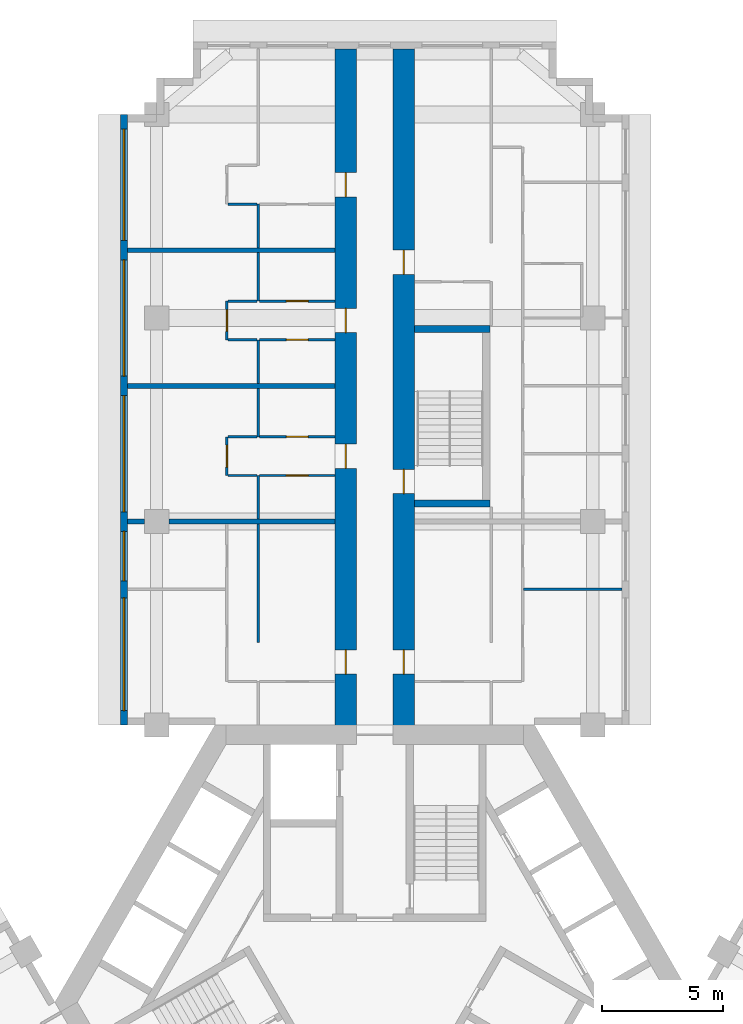
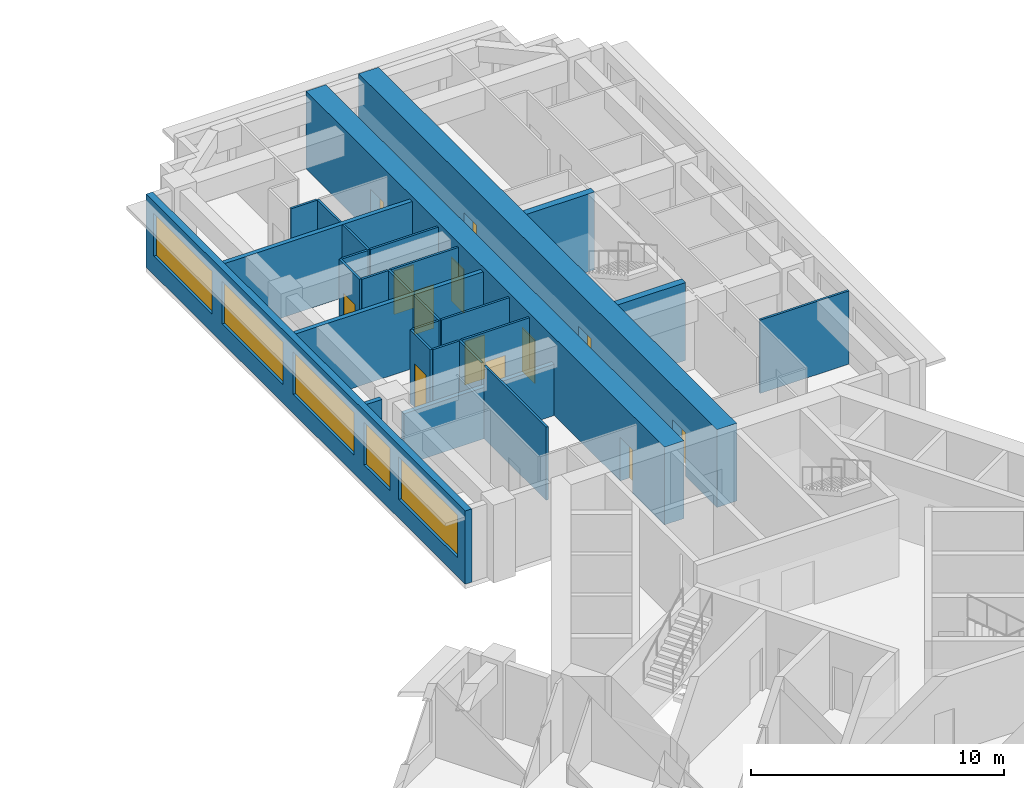
# One storey, part 9 of 15: 27 walls, 13 doors, 5 windows, 18 openings.
"""IFC4 building model written with IfcOpenShell, lengths in metres."""

from ifc_helpers import new_model, si_unit, direction, frame, frame_2d, origin, place, context, subcontext, project, spatial, rectangle, extrude, material, layer, layer_set, type_object, element, fill, save


model = new_model("IFC4")

# Units and contexts
model_context = context("Model", 3, precision=1e-05, world=origin(), true_north=direction((0.0, 1.0)))
body_context = subcontext(model_context, "Body", "Model", "MODEL_VIEW")
ifc_project = project(units=[si_unit("LENGTHUNIT", "METRE"), si_unit("AREAUNIT", "SQUARE_METRE"), si_unit("VOLUMEUNIT", "CUBIC_METRE"), si_unit("PLANEANGLEUNIT", "RADIAN"), si_unit("MASSUNIT", "GRAM", prefix="KILO")], contexts=[model_context])

# Site, building, storey
site_placement = place(None, origin())
site = spatial("IfcSite", under=ifc_project, at=site_placement, CompositionType="ELEMENT")
building_placement = place(site_placement, origin())
building = spatial("IfcBuilding", under=site, at=building_placement, Name="Impinga Residences", CompositionType="ELEMENT")
storey_placement = place(building_placement, frame((0.0, 0.0, 109.75)))
storey = spatial("IfcBuildingStorey", under=building, at=storey_placement, Name="L26", CompositionType="ELEMENT", Elevation=109.75)

# Wall, openings, doors
ifc_material_1 = material(Name="Concrete C60/75", Category="concrete")
ifc_layer_1 = layer(ifc_material_1, 0.89990234375)
ifc_layer_set_1 = layer_set([ifc_layer_1], Name="Concrete C60/75")
wall_type_1 = type_object("IfcWallType", Name="BW2 corridor buttress wall, L24 to L44 900", PredefinedType="SHEAR", material=ifc_layer_set_1)
wall_1_placement = place(storey_placement, frame((-1.199951171875, 11.031494140625, 0.0), z_axis=(0.0, 0.0, 1.0), x_axis=(0.0, 1.0, 0.0)))
wall_1 = element("IfcWall", 1, at=wall_1_placement, inside=storey, type_object=wall_type_1, Name="Corridor wall BW2 NC L26", PredefinedType="SHEAR", context=body_context, shape_type="SweptSolid", body=[
    extrude(rectangle(XDim=28.300048828125, YDim=0.89990234375, at=frame_2d((14.14990234375, 0.0))), origin(), (0.0, 0.0, 1.0), 3.75),
])
opening_1_placement = place(wall_1_placement, frame((2.5, 0.0, 0.0)))
opening_1 = element("IfcOpeningElement", 2, at=opening_1_placement, cuts=wall_1, Name="Opening D1", PredefinedType="OPENING", context=body_context, shape_type="SweptSolid", body=[
    extrude(rectangle(XDim=1.0, YDim=2.10009765625, at=frame_2d((0.5, 1.050048828125))), frame((0.0, 0.4599609375, 0.0), z_axis=(0.0, -1.0, 0.0), x_axis=(1.0, 0.0, 0.0)), (0.0, 0.0, 1.0), 0.919921875),
])
opening_2_placement = place(wall_1_placement, frame((11.0, 0.0, 0.0)))
opening_2 = element("IfcOpeningElement", 3, at=opening_2_placement, cuts=wall_1, Name="Opening D1", PredefinedType="OPENING", context=body_context, shape_type="SweptSolid", body=[
    extrude(rectangle(XDim=1.0, YDim=2.10009765625, at=frame_2d((0.5, 1.050048828125))), frame((0.0, 0.4599609375, 0.0), z_axis=(0.0, -1.0, 0.0), x_axis=(1.0, 0.0, 0.0)), (0.0, 0.0, 1.0), 0.919921875),
])
opening_3_placement = place(wall_1_placement, frame((16.60009765625, 0.0, 0.0)))
opening_3 = element("IfcOpeningElement", 4, at=opening_3_placement, cuts=wall_1, Name="Opening D1", PredefinedType="OPENING", context=body_context, shape_type="SweptSolid", body=[
    extrude(rectangle(XDim=1.0, YDim=2.10009765625, at=frame_2d((0.5, 1.050048828125))), frame((0.0, 0.4599609375, 0.0), z_axis=(0.0, -1.0, 0.0), x_axis=(1.0, 0.0, 0.0)), (0.0, 0.0, 1.0), 0.919921875),
])
opening_4_placement = place(wall_1_placement, frame((22.199951171875, 0.0, 0.0)))
opening_4 = element("IfcOpeningElement", 5, at=opening_4_placement, cuts=wall_1, Name="Opening D1", PredefinedType="OPENING", context=body_context, shape_type="SweptSolid", body=[
    extrude(rectangle(XDim=1.0, YDim=2.10009765625, at=frame_2d((0.5, 1.050048828125))), frame((0.0, 0.4599609375, 0.0), z_axis=(0.0, -1.0, 0.0), x_axis=(1.0, 0.0, 0.0)), (0.0, 0.0, 1.0), 0.919921875),
])
ifc_material_2 = material(Name="Timber door set", Category="wood")
door_type_1 = type_object("IfcDoorType", Name="D1 apartment entrance door 1000x2100", OperationType="SINGLE_SWING_LEFT", PredefinedType="DOOR", material=ifc_material_2)
door_1_placement = place(opening_1_placement, origin())
door_1 = element("IfcDoor", 6, at=door_1_placement, inside=storey, type_object=door_type_1, Name="Apartment L26-NA1 entrance", OperationType="SINGLE_SWING_LEFT", OverallHeight=2.10009765625, OverallWidth=1.0, PredefinedType="DOOR", context=body_context, shape_type="SweptSolid", body=[
    extrude(rectangle(XDim=1.0, YDim=2.10009765625, at=frame_2d((0.5, 1.050048828125))), frame((0.0, 0.02490234375, 0.0), z_axis=(0.0, -1.0, 0.0), x_axis=(1.0, 0.0, 0.0)), (0.0, 0.0, 1.0), 0.050048828125),
])
fill(opening_1, door_1)
door_2_placement = place(opening_2_placement, origin())
door_2 = element("IfcDoor", 7, at=door_2_placement, inside=storey, type_object=door_type_1, Name="Apartment L26-NA2 entrance", OperationType="SINGLE_SWING_LEFT", OverallHeight=2.10009765625, OverallWidth=1.0, PredefinedType="DOOR", context=body_context, shape_type="SweptSolid", body=[
    extrude(rectangle(XDim=1.0, YDim=2.10009765625, at=frame_2d((0.5, 1.050048828125))), frame((0.0, 0.02490234375, 0.0), z_axis=(0.0, -1.0, 0.0), x_axis=(1.0, 0.0, 0.0)), (0.0, 0.0, 1.0), 0.050048828125),
])
fill(opening_2, door_2)
door_3_placement = place(opening_3_placement, origin())
door_3 = element("IfcDoor", 8, at=door_3_placement, inside=storey, type_object=door_type_1, Name="Apartment L26-NA3 entrance", OperationType="SINGLE_SWING_RIGHT", OverallHeight=2.10009765625, OverallWidth=1.0, PredefinedType="DOOR", context=body_context, shape_type="SweptSolid", body=[
    extrude(rectangle(XDim=1.0, YDim=2.10009765625, at=frame_2d((0.5, 1.050048828125))), frame((0.0, 0.02490234375, 0.0), z_axis=(0.0, -1.0, 0.0), x_axis=(1.0, 0.0, 0.0)), (0.0, 0.0, 1.0), 0.050048828125),
])
fill(opening_3, door_3)
door_4_placement = place(opening_4_placement, origin())
door_4 = element("IfcDoor", 9, at=door_4_placement, inside=storey, type_object=door_type_1, Name="Apartment L26-NA4 entrance", OperationType="SINGLE_SWING_RIGHT", OverallHeight=2.10009765625, OverallWidth=1.0, PredefinedType="DOOR", context=body_context, shape_type="SweptSolid", body=[
    extrude(rectangle(XDim=1.0, YDim=2.10009765625, at=frame_2d((0.5, 1.050048828125))), frame((0.0, 0.02490234375, 0.0), z_axis=(0.0, -1.0, 0.0), x_axis=(1.0, 0.0, 0.0)), (0.0, 0.0, 1.0), 0.050048828125),
])
fill(opening_4, door_4)

wall_2_placement = place(storey_placement, frame((1.199951171875, 11.031494140625, 0.0), z_axis=(0.0, 0.0, 1.0), x_axis=(0.0, 1.0, 0.0)))
wall_2 = element("IfcWall", 10, at=wall_2_placement, inside=storey, type_object=wall_type_1, Name="Corridor wall BW2 ND L26", PredefinedType="SHEAR", context=body_context, shape_type="SweptSolid", body=[
    extrude(rectangle(XDim=28.300048828125, YDim=0.89990234375, at=frame_2d((14.14990234375, 0.0))), origin(), (0.0, 0.0, 1.0), 3.75),
])
opening_5_placement = place(wall_2_placement, frame((9.949951171875, 0.0, 0.0)))
opening_5 = element("IfcOpeningElement", 11, at=opening_5_placement, cuts=wall_2, Name="Opening D5", PredefinedType="OPENING", context=body_context, shape_type="SweptSolid", body=[
    extrude(rectangle(XDim=1.0, YDim=2.10009765625, at=frame_2d((0.5, 1.050048828125))), frame((0.0, 0.4599609375, 0.0), z_axis=(0.0, -1.0, 0.0), x_axis=(1.0, 0.0, 0.0)), (0.0, 0.0, 1.0), 0.919921875),
])
opening_6_placement = place(wall_2_placement, frame((2.5, 0.0, 0.0)))
opening_6 = element("IfcOpeningElement", 12, at=opening_6_placement, cuts=wall_2, Name="Opening D1", PredefinedType="OPENING", context=body_context, shape_type="SweptSolid", body=[
    extrude(rectangle(XDim=1.0, YDim=2.10009765625, at=frame_2d((0.5, 1.050048828125))), frame((0.0, 0.4599609375, 0.0), z_axis=(0.0, -1.0, 0.0), x_axis=(1.0, 0.0, 0.0)), (0.0, 0.0, 1.0), 0.919921875),
])
opening_7_placement = place(wall_2_placement, frame((19.0, 0.0, 0.0)))
opening_7 = element("IfcOpeningElement", 13, at=opening_7_placement, cuts=wall_2, Name="Opening D1", PredefinedType="OPENING", context=body_context, shape_type="SweptSolid", body=[
    extrude(rectangle(XDim=1.0, YDim=2.10009765625, at=frame_2d((0.5, 1.050048828125))), frame((0.0, 0.4599609375, 0.0), z_axis=(0.0, -1.0, 0.0), x_axis=(1.0, 0.0, 0.0)), (0.0, 0.0, 1.0), 0.919921875),
])
door_5_placement = place(opening_6_placement, origin())
door_5 = element("IfcDoor", 14, at=door_5_placement, inside=storey, type_object=door_type_1, Name="Apartment L26-NF1 entrance", OperationType="SINGLE_SWING_LEFT", OverallHeight=2.10009765625, OverallWidth=1.0, PredefinedType="DOOR", context=body_context, shape_type="SweptSolid", body=[
    extrude(rectangle(XDim=1.0, YDim=2.10009765625, at=frame_2d((0.5, 1.050048828125))), frame((0.0, 0.02490234375, 0.0), z_axis=(0.0, -1.0, 0.0), x_axis=(1.0, 0.0, 0.0)), (0.0, 0.0, 1.0), 0.050048828125),
])
fill(opening_6, door_5)
door_6_placement = place(opening_7_placement, origin())
door_6 = element("IfcDoor", 15, at=door_6_placement, inside=storey, type_object=door_type_1, Name="Apartment L26-NF2 entrance", OperationType="SINGLE_SWING_RIGHT", OverallHeight=2.10009765625, OverallWidth=1.0, PredefinedType="DOOR", context=body_context, shape_type="SweptSolid", body=[
    extrude(rectangle(XDim=1.0, YDim=2.10009765625, at=frame_2d((0.5, 1.050048828125))), frame((0.0, 0.02490234375, 0.0), z_axis=(0.0, -1.0, 0.0), x_axis=(1.0, 0.0, 0.0)), (0.0, 0.0, 1.0), 0.050048828125),
])
fill(opening_7, door_6)
door_type_2 = type_object("IfcDoorType", Name="D5 stair door 1000x2100", OperationType="SINGLE_SWING_LEFT", PredefinedType="DOOR", material=ifc_material_2)
door_7_placement = place(opening_5_placement, origin())
door_7 = element("IfcDoor", 16, at=door_7_placement, inside=storey, type_object=door_type_2, Name="Wing stair door N", OperationType="SINGLE_SWING_LEFT", OverallHeight=2.10009765625, OverallWidth=1.0, PredefinedType="DOOR", context=body_context, shape_type="SweptSolid", body=[
    extrude(rectangle(XDim=1.0, YDim=2.10009765625, at=frame_2d((0.5, 1.050048828125))), frame((0.0, 0.02490234375, 0.0), z_axis=(0.0, -1.0, 0.0), x_axis=(1.0, 0.0, 0.0)), (0.0, 0.0, 1.0), 0.050048828125),
])
fill(opening_5, door_7)

# Wall, openings, windows
ifc_material_3 = material(Name="Terracotta rainscreen on blockwork", Category="masonry")
ifc_layer_2 = layer(ifc_material_3, 0.300048828125)
ifc_layer_set_2 = layer_set([ifc_layer_2], Name="EW1 external wall, terracotta rainscreen on blockwork 300")
wall_type_2 = type_object("IfcWallType", Name="EW1 external wall, terracotta rainscreen on blockwork 300", PredefinedType="SOLIDWALL", material=ifc_layer_set_2)
wall_3_placement = place(storey_placement, frame((-10.35009765625, 11.431640625, 0.0), z_axis=(0.0, 0.0, 1.0), x_axis=(0.0, 1.0, 0.0)))
wall_3 = element("IfcWall", 17, at=wall_3_placement, inside=storey, type_object=wall_type_2, Name="External wall EW1 L26", PredefinedType="SOLIDWALL", context=body_context, shape_type="SweptSolid", body=[
    extrude(rectangle(XDim=25.199951171875, YDim=0.300048828125, at=frame_2d((12.60009765625, 0.0))), origin(), (0.0, 0.0, 1.0), 3.530029296875),
])
opening_8_placement = place(wall_3_placement, frame((0.60009765625, 0.0, 0.89990234375)))
opening_8 = element("IfcOpeningElement", 18, at=opening_8_placement, cuts=wall_3, Name="Opening W10", PredefinedType="OPENING", context=body_context, shape_type="SweptSolid", body=[
    extrude(rectangle(XDim=4.64990234375, YDim=2.050048828125, at=frame_2d((2.324951171875, 1.02490234375))), frame((0.0, 0.159912109375, 0.0), z_axis=(0.0, -1.0, 0.0), x_axis=(1.0, 0.0, 0.0)), (0.0, 0.0, 1.0), 0.320068359375),
])
opening_9_placement = place(wall_3_placement, frame((5.949951171875, 0.0, 0.89990234375)))
opening_9 = element("IfcOpeningElement", 19, at=opening_9_placement, cuts=wall_3, Name="Opening W14", PredefinedType="OPENING", context=body_context, shape_type="SweptSolid", body=[
    extrude(rectangle(XDim=2.050048828125, YDim=2.050048828125, at=frame_2d((1.02490234375, 1.02490234375))), frame((0.0, 0.159912109375, 0.0), z_axis=(0.0, -1.0, 0.0), x_axis=(1.0, 0.0, 0.0)), (0.0, 0.0, 1.0), 0.320068359375),
])
opening_10_placement = place(wall_3_placement, frame((8.800048828125, 0.0, 0.89990234375)))
opening_10 = element("IfcOpeningElement", 20, at=opening_10_placement, cuts=wall_3, Name="Opening W8", PredefinedType="OPENING", context=body_context, shape_type="SweptSolid", body=[
    extrude(rectangle(XDim=4.800048828125, YDim=2.050048828125, at=frame_2d((2.39990234375, 1.02490234375))), frame((0.0, 0.159912109375, 0.0), z_axis=(0.0, -1.0, 0.0), x_axis=(1.0, 0.0, 0.0)), (0.0, 0.0, 1.0), 0.320068359375),
])
opening_11_placement = place(wall_3_placement, frame((14.39990234375, 0.0, 0.89990234375)))
opening_11 = element("IfcOpeningElement", 21, at=opening_11_placement, cuts=wall_3, Name="Opening W8", PredefinedType="OPENING", context=body_context, shape_type="SweptSolid", body=[
    extrude(rectangle(XDim=4.800048828125, YDim=2.050048828125, at=frame_2d((2.39990234375, 1.02490234375))), frame((0.0, 0.159912109375, 0.0), z_axis=(0.0, -1.0, 0.0), x_axis=(1.0, 0.0, 0.0)), (0.0, 0.0, 1.0), 0.320068359375),
])
opening_12_placement = place(wall_3_placement, frame((20.0, 0.0, 0.89990234375)))
opening_12 = element("IfcOpeningElement", 22, at=opening_12_placement, cuts=wall_3, Name="Opening W3", PredefinedType="OPENING", context=body_context, shape_type="SweptSolid", body=[
    extrude(rectangle(XDim=4.60009765625, YDim=2.050048828125, at=frame_2d((2.300048828125, 1.02490234375))), frame((0.0, 0.159912109375, 0.0), z_axis=(0.0, -1.0, 0.0), x_axis=(1.0, 0.0, 0.0)), (0.0, 0.0, 1.0), 0.320068359375),
])
ifc_material_4 = material(Name="Aluminium window, clear double glazing", Category="aluminium")
window_type_1 = type_object("IfcWindowType", Name="W10 ribbon window 4650x2050", PartitioningType="SINGLE_PANEL", PredefinedType="WINDOW", material=ifc_material_4)
window_1_placement = place(opening_8_placement, origin())
window_1 = element("IfcWindow", 23, at=window_1_placement, inside=storey, type_object=window_type_1, Name="Window L26", OverallHeight=2.050048828125, OverallWidth=4.64990234375, PartitioningType="SINGLE_PANEL", PredefinedType="WINDOW", context=body_context, shape_type="SweptSolid", body=[
    extrude(rectangle(XDim=4.64990234375, YDim=2.050048828125, at=frame_2d((2.324951171875, 1.02490234375))), frame((0.0, 0.030029296875, 0.0), z_axis=(0.0, -1.0, 0.0), x_axis=(1.0, 0.0, 0.0)), (0.0, 0.0, 1.0), 0.06005859375),
])
fill(opening_8, window_1)
window_type_2 = type_object("IfcWindowType", Name="W14 ribbon window 2050x2050", PartitioningType="SINGLE_PANEL", PredefinedType="WINDOW", material=ifc_material_4)
window_2_placement = place(opening_9_placement, origin())
window_2 = element("IfcWindow", 24, at=window_2_placement, inside=storey, type_object=window_type_2, Name="Window L26", OverallHeight=2.050048828125, OverallWidth=2.050048828125, PartitioningType="SINGLE_PANEL", PredefinedType="WINDOW", context=body_context, shape_type="SweptSolid", body=[
    extrude(rectangle(XDim=2.050048828125, YDim=2.050048828125, at=frame_2d((1.02490234375, 1.02490234375))), frame((0.0, 0.030029296875, 0.0), z_axis=(0.0, -1.0, 0.0), x_axis=(1.0, 0.0, 0.0)), (0.0, 0.0, 1.0), 0.06005859375),
])
fill(opening_9, window_2)
window_type_3 = type_object("IfcWindowType", Name="W3 ribbon window 4600x2050", PartitioningType="SINGLE_PANEL", PredefinedType="WINDOW", material=ifc_material_4)
window_3_placement = place(opening_12_placement, origin())
window_3 = element("IfcWindow", 25, at=window_3_placement, inside=storey, type_object=window_type_3, Name="Window L26", OverallHeight=2.050048828125, OverallWidth=4.60009765625, PartitioningType="SINGLE_PANEL", PredefinedType="WINDOW", context=body_context, shape_type="SweptSolid", body=[
    extrude(rectangle(XDim=4.60009765625, YDim=2.050048828125, at=frame_2d((2.300048828125, 1.02490234375))), frame((0.0, 0.030029296875, 0.0), z_axis=(0.0, -1.0, 0.0), x_axis=(1.0, 0.0, 0.0)), (0.0, 0.0, 1.0), 0.06005859375),
])
fill(opening_12, window_3)
window_type_4 = type_object("IfcWindowType", Name="W8 ribbon window 4800x2050", PartitioningType="SINGLE_PANEL", PredefinedType="WINDOW", material=ifc_material_4)
window_4_placement = place(opening_10_placement, origin())
window_4 = element("IfcWindow", 26, at=window_4_placement, inside=storey, type_object=window_type_4, Name="Window L26", OverallHeight=2.050048828125, OverallWidth=4.800048828125, PartitioningType="SINGLE_PANEL", PredefinedType="WINDOW", context=body_context, shape_type="SweptSolid", body=[
    extrude(rectangle(XDim=4.800048828125, YDim=2.050048828125, at=frame_2d((2.39990234375, 1.02490234375))), frame((0.0, 0.030029296875, 0.0), z_axis=(0.0, -1.0, 0.0), x_axis=(1.0, 0.0, 0.0)), (0.0, 0.0, 1.0), 0.06005859375),
])
fill(opening_10, window_4)
window_5_placement = place(opening_11_placement, origin())
window_5 = element("IfcWindow", 27, at=window_5_placement, inside=storey, type_object=window_type_4, Name="Window L26", OverallHeight=2.050048828125, OverallWidth=4.800048828125, PartitioningType="SINGLE_PANEL", PredefinedType="WINDOW", context=body_context, shape_type="SweptSolid", body=[
    extrude(rectangle(XDim=4.800048828125, YDim=2.050048828125, at=frame_2d((2.39990234375, 1.02490234375))), frame((0.0, 0.030029296875, 0.0), z_axis=(0.0, -1.0, 0.0), x_axis=(1.0, 0.0, 0.0)), (0.0, 0.0, 1.0), 0.06005859375),
])
fill(opening_11, window_5)

# Walls
ifc_material_5 = material(Name="Gypsum board on steel studs", Category="steel")
ifc_layer_3 = layer(ifc_material_5, 0.10009765625)
ifc_layer_set_3 = layer_set([ifc_layer_3], Name="Gypsum board on steel studs")
wall_type_3 = type_object("IfcWallType", Name="IP1 partition 100", PredefinedType="PARTITIONING", material=ifc_layer_set_3)
wall_4_placement = place(storey_placement, frame((-4.800048828125, 14.83154296875, 0.0), z_axis=(0.0, 0.0, 1.0), x_axis=(0.0, 1.0, 0.0)))
element("IfcWall", 28, at=wall_4_placement, inside=storey, type_object=wall_type_3, Name="Partition L26-NA1:DIV1", PredefinedType="PARTITIONING", context=body_context, shape_type="SweptSolid", body=[
    extrude(rectangle(XDim=4.89990234375, YDim=0.10009765625, at=frame_2d((2.449951171875, 0.0))), origin(), (0.0, 0.0, 1.0), 3.530029296875),
])
wall_5_placement = place(storey_placement, frame((-4.800048828125, 19.931640625, 0.0), z_axis=(0.0, 0.0, 1.0), x_axis=(0.0, 1.0, 0.0)))
element("IfcWall", 29, at=wall_5_placement, inside=storey, type_object=wall_type_3, Name="Partition L26-NA2:DIV0", PredefinedType="PARTITIONING", context=body_context, shape_type="SweptSolid", body=[
    extrude(rectangle(XDim=1.7998046875, YDim=0.10009765625, at=frame_2d((0.89990234375, 0.0))), origin(), (0.0, 0.0, 1.0), 3.530029296875),
])
wall_6_placement = place(storey_placement, frame((-4.800048828125, 23.33154296875, 0.0), z_axis=(0.0, 0.0, 1.0), x_axis=(0.0, 1.0, 0.0)))
element("IfcWall", 30, at=wall_6_placement, inside=storey, type_object=wall_type_3, Name="Partition L26-NA2:DIV1", PredefinedType="PARTITIONING", context=body_context, shape_type="SweptSolid", body=[
    extrude(rectangle(XDim=2.0, YDim=0.10009765625, at=frame_2d((1.0, 0.0))), origin(), (0.0, 0.0, 1.0), 3.530029296875),
])

# Wall, opening, door
wall_7_placement = place(storey_placement, frame((-6.10009765625, 21.7314453125, 0.0), z_axis=(0.0, 0.0, 1.0), x_axis=(0.0, 1.0, 0.0)))
wall_7 = element("IfcWall", 31, at=wall_7_placement, inside=storey, type_object=wall_type_3, Name="Partition L26-NA2:STRIP", PredefinedType="PARTITIONING", context=body_context, shape_type="SweptSolid", body=[
    extrude(rectangle(XDim=1.60009765625, YDim=0.10009765625, at=frame_2d((0.800048828125, 0.0))), origin(), (0.0, 0.0, 1.0), 3.530029296875),
])
opening_13_placement = place(wall_7_placement, frame((0.35009765625, 0.0, 0.0)))
opening_13 = element("IfcOpeningElement", 32, at=opening_13_placement, cuts=wall_7, Name="Opening D2", PredefinedType="OPENING", context=body_context, shape_type="SweptSolid", body=[
    extrude(rectangle(XDim=0.89990234375, YDim=2.10009765625, at=frame_2d((0.449951171875, 1.050048828125))), frame((0.0, 0.06005859375, 0.0), z_axis=(0.0, -1.0, 0.0), x_axis=(1.0, 0.0, 0.0)), (0.0, 0.0, 1.0), 0.1201171875),
])
door_type_3 = type_object("IfcDoorType", Name="D2 internal door 900x2100", OperationType="SINGLE_SWING_LEFT", PredefinedType="DOOR", material=ifc_material_2)
door_8_placement = place(opening_13_placement, origin())
door_8 = element("IfcDoor", 33, at=door_8_placement, inside=storey, type_object=door_type_3, Name="Apartment L26-NA2 room door", OperationType="SINGLE_SWING_LEFT", OverallHeight=2.10009765625, OverallWidth=0.89990234375, PredefinedType="DOOR", context=body_context, shape_type="SweptSolid", body=[
    extrude(rectangle(XDim=0.89990234375, YDim=2.10009765625, at=frame_2d((0.449951171875, 1.050048828125))), frame((0.0, 0.02490234375, 0.0), z_axis=(0.0, -1.0, 0.0), x_axis=(1.0, 0.0, 0.0)), (0.0, 0.0, 1.0), 0.050048828125),
])
fill(opening_13, door_8)

# Walls
for number, where, z_axis, x_axis, name in (
    (34, (-4.85009765625, 21.7314453125, 0.0), (0.0, 0.0, 1.0), (-1.0, 0.0, 0.0), "Partition L26-NA2:SE0"),
    (35, (-4.85009765625, 23.33154296875, 0.0), (0.0, 0.0, 1.0), (-1.0, 0.0, 0.0), "Partition L26-NA2:SE1"),
):
    element("IfcWall", number, at=place(storey_placement, frame(where, z_axis=z_axis, x_axis=x_axis)), inside=storey, type_object=wall_type_3, Name=name, PredefinedType="PARTITIONING", context=body_context, shape_type="SweptSolid", body=[
        extrude(rectangle(XDim=1.199951171875, YDim=0.10009765625, at=frame_2d((0.60009765625, 0.0))), origin(), (0.0, 0.0, 1.0), 3.530029296875),
    ])

# Wall, opening, door
wall_8_placement = place(storey_placement, frame((-1.64990234375, 21.7314453125, 0.0), z_axis=(0.0, 0.0, 1.0), x_axis=(-1.0, 0.0, 0.0)))
wall_8 = element("IfcWall", 36, at=wall_8_placement, inside=storey, type_object=wall_type_3, Name="Partition L26-NA2:IB1", PredefinedType="PARTITIONING", context=body_context, shape_type="SweptSolid", body=[
    extrude(rectangle(XDim=3.10009765625, YDim=0.10009765625, at=frame_2d((1.550048828125, 0.0))), origin(), (0.0, 0.0, 1.0), 3.530029296875),
])
opening_14_placement = place(wall_8_placement, frame((1.10009765625, 0.0, 0.0)))
opening_14 = element("IfcOpeningElement", 37, at=opening_14_placement, cuts=wall_8, Name="Opening D2", PredefinedType="OPENING", context=body_context, shape_type="SweptSolid", body=[
    extrude(rectangle(XDim=0.89990234375, YDim=2.10009765625, at=frame_2d((0.449951171875, 1.050048828125))), frame((0.0, 0.06005859375, 0.0), z_axis=(0.0, -1.0, 0.0), x_axis=(1.0, 0.0, 0.0)), (0.0, 0.0, 1.0), 0.1201171875),
])
door_9_placement = place(opening_14_placement, origin())
door_9 = element("IfcDoor", 38, at=door_9_placement, inside=storey, type_object=door_type_3, Name="Apartment L26-NA2 bathroom door", OperationType="SINGLE_SWING_LEFT", OverallHeight=2.10009765625, OverallWidth=0.89990234375, PredefinedType="DOOR", context=body_context, shape_type="SweptSolid", body=[
    extrude(rectangle(XDim=0.89990234375, YDim=2.10009765625, at=frame_2d((0.449951171875, 1.050048828125))), frame((0.0, 0.02490234375, 0.0), z_axis=(0.0, -1.0, 0.0), x_axis=(1.0, 0.0, 0.0)), (0.0, 0.0, 1.0), 0.050048828125),
])
fill(opening_14, door_9)

wall_9_placement = place(storey_placement, frame((-1.64990234375, 23.33154296875, 0.0), z_axis=(0.0, 0.0, 1.0), x_axis=(-1.0, 0.0, 0.0)))
wall_9 = element("IfcWall", 39, at=wall_9_placement, inside=storey, type_object=wall_type_3, Name="Partition L26-NA2:IB2", PredefinedType="PARTITIONING", context=body_context, shape_type="SweptSolid", body=[
    extrude(rectangle(XDim=3.10009765625, YDim=0.10009765625, at=frame_2d((1.550048828125, 0.0))), origin(), (0.0, 0.0, 1.0), 3.530029296875),
])
opening_15_placement = place(wall_9_placement, frame((1.10009765625, 0.0, 0.0)))
opening_15 = element("IfcOpeningElement", 40, at=opening_15_placement, cuts=wall_9, Name="Opening D2", PredefinedType="OPENING", context=body_context, shape_type="SweptSolid", body=[
    extrude(rectangle(XDim=0.89990234375, YDim=2.10009765625, at=frame_2d((0.449951171875, 1.050048828125))), frame((0.0, 0.06005859375, 0.0), z_axis=(0.0, -1.0, 0.0), x_axis=(1.0, 0.0, 0.0)), (0.0, 0.0, 1.0), 0.1201171875),
])
door_10_placement = place(opening_15_placement, origin())
door_10 = element("IfcDoor", 41, at=door_10_placement, inside=storey, type_object=door_type_3, Name="Apartment L26-NA2 WC door", OperationType="SINGLE_SWING_LEFT", OverallHeight=2.10009765625, OverallWidth=0.89990234375, PredefinedType="DOOR", context=body_context, shape_type="SweptSolid", body=[
    extrude(rectangle(XDim=0.89990234375, YDim=2.10009765625, at=frame_2d((0.449951171875, 1.050048828125))), frame((0.0, 0.02490234375, 0.0), z_axis=(0.0, -1.0, 0.0), x_axis=(1.0, 0.0, 0.0)), (0.0, 0.0, 1.0), 0.050048828125),
])
fill(opening_15, door_10)

# Walls
wall_10_placement = place(storey_placement, frame((-4.800048828125, 25.531494140625, 0.0), z_axis=(0.0, 0.0, 1.0), x_axis=(0.0, 1.0, 0.0)))
element("IfcWall", 42, at=wall_10_placement, inside=storey, type_object=wall_type_3, Name="Partition L26-NA3:DIV0", PredefinedType="PARTITIONING", context=body_context, shape_type="SweptSolid", body=[
    extrude(rectangle(XDim=1.800048828125, YDim=0.10009765625, at=frame_2d((0.89990234375, 0.0))), origin(), (0.0, 0.0, 1.0), 3.530029296875),
])
wall_11_placement = place(storey_placement, frame((-4.800048828125, 28.931640625, 0.0), z_axis=(0.0, 0.0, 1.0), x_axis=(0.0, 1.0, 0.0)))
element("IfcWall", 43, at=wall_11_placement, inside=storey, type_object=wall_type_3, Name="Partition L26-NA3:DIV1", PredefinedType="PARTITIONING", context=body_context, shape_type="SweptSolid", body=[
    extrude(rectangle(XDim=2.0, YDim=0.10009765625, at=frame_2d((1.0, 0.0))), origin(), (0.0, 0.0, 1.0), 3.530029296875),
])

# Wall, opening, door
wall_12_placement = place(storey_placement, frame((-6.10009765625, 27.33154296875, 0.0), z_axis=(0.0, 0.0, 1.0), x_axis=(0.0, 1.0, 0.0)))
wall_12 = element("IfcWall", 44, at=wall_12_placement, inside=storey, type_object=wall_type_3, Name="Partition L26-NA3:STRIP", PredefinedType="PARTITIONING", context=body_context, shape_type="SweptSolid", body=[
    extrude(rectangle(XDim=1.60009765625, YDim=0.10009765625, at=frame_2d((0.800048828125, 0.0))), origin(), (0.0, 0.0, 1.0), 3.530029296875),
])
opening_16_placement = place(wall_12_placement, frame((0.35009765625, 0.0, 0.0)))
opening_16 = element("IfcOpeningElement", 45, at=opening_16_placement, cuts=wall_12, Name="Opening D2", PredefinedType="OPENING", context=body_context, shape_type="SweptSolid", body=[
    extrude(rectangle(XDim=0.89990234375, YDim=2.10009765625, at=frame_2d((0.449951171875, 1.050048828125))), frame((0.0, 0.06005859375, 0.0), z_axis=(0.0, -1.0, 0.0), x_axis=(1.0, 0.0, 0.0)), (0.0, 0.0, 1.0), 0.1201171875),
])
door_11_placement = place(opening_16_placement, origin())
door_11 = element("IfcDoor", 46, at=door_11_placement, inside=storey, type_object=door_type_3, Name="Apartment L26-NA3 room door", OperationType="SINGLE_SWING_LEFT", OverallHeight=2.10009765625, OverallWidth=0.89990234375, PredefinedType="DOOR", context=body_context, shape_type="SweptSolid", body=[
    extrude(rectangle(XDim=0.89990234375, YDim=2.10009765625, at=frame_2d((0.449951171875, 1.050048828125))), frame((0.0, 0.02490234375, 0.0), z_axis=(0.0, -1.0, 0.0), x_axis=(1.0, 0.0, 0.0)), (0.0, 0.0, 1.0), 0.050048828125),
])
fill(opening_16, door_11)

# Walls
for number, where, z_axis, x_axis, name in (
    (47, (-4.85009765625, 27.33154296875, 0.0), (0.0, 0.0, 1.0), (-1.0, 0.0, 0.0), "Partition L26-NA3:SE0"),
    (48, (-4.85009765625, 28.931640625, 0.0), (0.0, 0.0, 1.0), (-1.0, 0.0, 0.0), "Partition L26-NA3:SE1"),
):
    element("IfcWall", number, at=place(storey_placement, frame(where, z_axis=z_axis, x_axis=x_axis)), inside=storey, type_object=wall_type_3, Name=name, PredefinedType="PARTITIONING", context=body_context, shape_type="SweptSolid", body=[
        extrude(rectangle(XDim=1.199951171875, YDim=0.10009765625, at=frame_2d((0.60009765625, 0.0))), origin(), (0.0, 0.0, 1.0), 3.530029296875),
    ])

# Wall, opening, door
wall_13_placement = place(storey_placement, frame((-1.64990234375, 27.33154296875, 0.0), z_axis=(0.0, 0.0, 1.0), x_axis=(-1.0, 0.0, 0.0)))
wall_13 = element("IfcWall", 49, at=wall_13_placement, inside=storey, type_object=wall_type_3, Name="Partition L26-NA3:IB1", PredefinedType="PARTITIONING", context=body_context, shape_type="SweptSolid", body=[
    extrude(rectangle(XDim=3.10009765625, YDim=0.10009765625, at=frame_2d((1.550048828125, 0.0))), origin(), (0.0, 0.0, 1.0), 3.530029296875),
])
opening_17_placement = place(wall_13_placement, frame((1.10009765625, 0.0, 0.0)))
opening_17 = element("IfcOpeningElement", 50, at=opening_17_placement, cuts=wall_13, Name="Opening D2", PredefinedType="OPENING", context=body_context, shape_type="SweptSolid", body=[
    extrude(rectangle(XDim=0.89990234375, YDim=2.10009765625, at=frame_2d((0.449951171875, 1.050048828125))), frame((0.0, 0.06005859375, 0.0), z_axis=(0.0, -1.0, 0.0), x_axis=(1.0, 0.0, 0.0)), (0.0, 0.0, 1.0), 0.1201171875),
])
door_12_placement = place(opening_17_placement, origin())
door_12 = element("IfcDoor", 51, at=door_12_placement, inside=storey, type_object=door_type_3, Name="Apartment L26-NA3 bathroom door", OperationType="SINGLE_SWING_LEFT", OverallHeight=2.10009765625, OverallWidth=0.89990234375, PredefinedType="DOOR", context=body_context, shape_type="SweptSolid", body=[
    extrude(rectangle(XDim=0.89990234375, YDim=2.10009765625, at=frame_2d((0.449951171875, 1.050048828125))), frame((0.0, 0.02490234375, 0.0), z_axis=(0.0, -1.0, 0.0), x_axis=(1.0, 0.0, 0.0)), (0.0, 0.0, 1.0), 0.050048828125),
])
fill(opening_17, door_12)

wall_14_placement = place(storey_placement, frame((-1.64990234375, 28.931640625, 0.0), z_axis=(0.0, 0.0, 1.0), x_axis=(-1.0, 0.0, 0.0)))
wall_14 = element("IfcWall", 52, at=wall_14_placement, inside=storey, type_object=wall_type_3, Name="Partition L26-NA3:IB2", PredefinedType="PARTITIONING", context=body_context, shape_type="SweptSolid", body=[
    extrude(rectangle(XDim=3.10009765625, YDim=0.10009765625, at=frame_2d((1.550048828125, 0.0))), origin(), (0.0, 0.0, 1.0), 3.530029296875),
])
opening_18_placement = place(wall_14_placement, frame((1.10009765625, 0.0, 0.0)))
opening_18 = element("IfcOpeningElement", 53, at=opening_18_placement, cuts=wall_14, Name="Opening D2", PredefinedType="OPENING", context=body_context, shape_type="SweptSolid", body=[
    extrude(rectangle(XDim=0.89990234375, YDim=2.10009765625, at=frame_2d((0.449951171875, 1.050048828125))), frame((0.0, 0.06005859375, 0.0), z_axis=(0.0, -1.0, 0.0), x_axis=(1.0, 0.0, 0.0)), (0.0, 0.0, 1.0), 0.1201171875),
])
door_13_placement = place(opening_18_placement, origin())
door_13 = element("IfcDoor", 54, at=door_13_placement, inside=storey, type_object=door_type_3, Name="Apartment L26-NA3 WC door", OperationType="SINGLE_SWING_LEFT", OverallHeight=2.10009765625, OverallWidth=0.89990234375, PredefinedType="DOOR", context=body_context, shape_type="SweptSolid", body=[
    extrude(rectangle(XDim=0.89990234375, YDim=2.10009765625, at=frame_2d((0.449951171875, 1.050048828125))), frame((0.0, 0.02490234375, 0.0), z_axis=(0.0, -1.0, 0.0), x_axis=(1.0, 0.0, 0.0)), (0.0, 0.0, 1.0), 0.050048828125),
])
fill(opening_18, door_13)

# Walls
wall_15_placement = place(storey_placement, frame((-4.800048828125, 31.131591796875, 0.0), z_axis=(0.0, 0.0, 1.0), x_axis=(0.0, 1.0, 0.0)))
element("IfcWall", 55, at=wall_15_placement, inside=storey, type_object=wall_type_3, Name="Partition L26-NA4:DIV0", PredefinedType="PARTITIONING", context=body_context, shape_type="SweptSolid", body=[
    extrude(rectangle(XDim=1.800048828125, YDim=0.10009765625, at=frame_2d((0.89990234375, 0.0))), origin(), (0.0, 0.0, 1.0), 3.530029296875),
])
wall_16_placement = place(storey_placement, frame((-4.85009765625, 32.931640625, 0.0), z_axis=(0.0, 0.0, 1.0), x_axis=(-1.0, 0.0, 0.0)))
element("IfcWall", 56, at=wall_16_placement, inside=storey, type_object=wall_type_3, Name="Partition L26-NA4:SE0", PredefinedType="PARTITIONING", context=body_context, shape_type="SweptSolid", body=[
    extrude(rectangle(XDim=1.199951171875, YDim=0.10009765625, at=frame_2d((0.60009765625, 0.0))), origin(), (0.0, 0.0, 1.0), 3.530029296875),
])
wall_17_placement = place(storey_placement, frame((6.14990234375, 17.031494140625, 0.0), z_axis=(0.0, 0.0, 1.0), x_axis=(1.0, 0.0, 0.0)))
element("IfcWall", 57, at=wall_17_placement, inside=storey, type_object=wall_type_3, Name="Partition L26-NF1:OB1", PredefinedType="PARTITIONING", context=body_context, shape_type="SweptSolid", body=[
    extrude(rectangle(XDim=4.050048828125, YDim=0.10009765625, at=frame_2d((2.02490234375, 0.0))), origin(), (0.0, 0.0, 1.0), 3.530029296875),
])
ifc_material_6 = material(Name="Concrete blockwork", Category="masonry")
ifc_layer_4 = layer(ifc_material_6, 0.199951171875)
ifc_layer_set_4 = layer_set([ifc_layer_4], Name="PW1 party wall between apartments 200")
wall_type_4 = type_object("IfcWallType", Name="PW1 party wall between apartments 200", PredefinedType="SOLIDWALL", material=ifc_layer_set_4)
wall_18_placement = place(storey_placement, frame((-1.64990234375, 19.83154296875, 0.0), z_axis=(0.0, 0.0, 1.0), x_axis=(-1.0, 0.0, 0.0)))
element("IfcWall", 58, at=wall_18_placement, inside=storey, type_object=wall_type_4, Name="Party wall between apartments L26-NA1:PARTY", PredefinedType="SOLIDWALL", context=body_context, shape_type="SweptSolid", body=[
    extrude(rectangle(XDim=6.85009765625, YDim=0.199951171875, at=frame_2d((3.425048828125, 0.0))), origin(), (0.0, 0.0, 1.0), 2.47998046875),
])
wall_19_placement = place(storey_placement, frame((-9.5, 19.83154296875, 0.0), z_axis=(0.0, 0.0, 1.0), x_axis=(-1.0, 0.0, 0.0)))
element("IfcWall", 59, at=wall_19_placement, inside=storey, type_object=wall_type_4, Name="Party wall between apartments L26-NA1:PARTYb", PredefinedType="SOLIDWALL", context=body_context, shape_type="SweptSolid", body=[
    extrude(rectangle(XDim=0.699951171875, YDim=0.199951171875, at=frame_2d((0.35009765625, 0.0))), origin(), (0.0, 0.0, 1.0), 3.530029296875),
])
for number, where, z_axis, x_axis, name in (
    (60, (-1.64990234375, 25.431640625, 0.0), (0.0, 0.0, 1.0), (-1.0, 0.0, 0.0), "Party wall between apartments L26-NA2:PARTY"),
    (61, (-1.64990234375, 31.031494140625, 0.0), (0.0, 0.0, 1.0), (-1.0, 0.0, 0.0), "Party wall between apartments L26-NA3:PARTY"),
):
    element("IfcWall", number, at=place(storey_placement, frame(where, z_axis=z_axis, x_axis=x_axis)), inside=storey, type_object=wall_type_4, Name=name, PredefinedType="SOLIDWALL", context=body_context, shape_type="SweptSolid", body=[
        extrude(rectangle(XDim=8.550048828125, YDim=0.199951171875, at=frame_2d((4.27490234375, 0.0))), origin(), (0.0, 0.0, 1.0), 3.530029296875),
    ])
ifc_layer_5 = layer(ifc_material_1, 0.300048828125)
ifc_layer_set_5 = layer_set([ifc_layer_5], Name="Concrete C60/75")
wall_type_5 = type_object("IfcWallType", Name="SE1 wing stair enclosure wall 300", PredefinedType="SOLIDWALL", material=ifc_layer_set_5)
for number, where, z_axis, x_axis, name in (
    (62, (1.64990234375, 20.58154296875, 0.0), (0.0, 0.0, 1.0), (1.0, 0.0, 0.0), "Stair enclosure wall SE1 N END0 L26"),
    (63, (1.64990234375, 27.781494140625, 0.0), (0.0, 0.0, 1.0), (1.0, 0.0, 0.0), "Stair enclosure wall SE1 N END1 L26"),
):
    element("IfcWall", number, at=place(storey_placement, frame(where, z_axis=z_axis, x_axis=x_axis)), inside=storey, type_object=wall_type_5, Name=name, PredefinedType="SOLIDWALL", context=body_context, shape_type="SweptSolid", body=[
        extrude(rectangle(XDim=3.10009765625, YDim=0.300048828125, at=frame_2d((1.550048828125, 0.0))), origin(), (0.0, 0.0, 1.0), 3.75),
    ])

save(model, "model.ifc")
